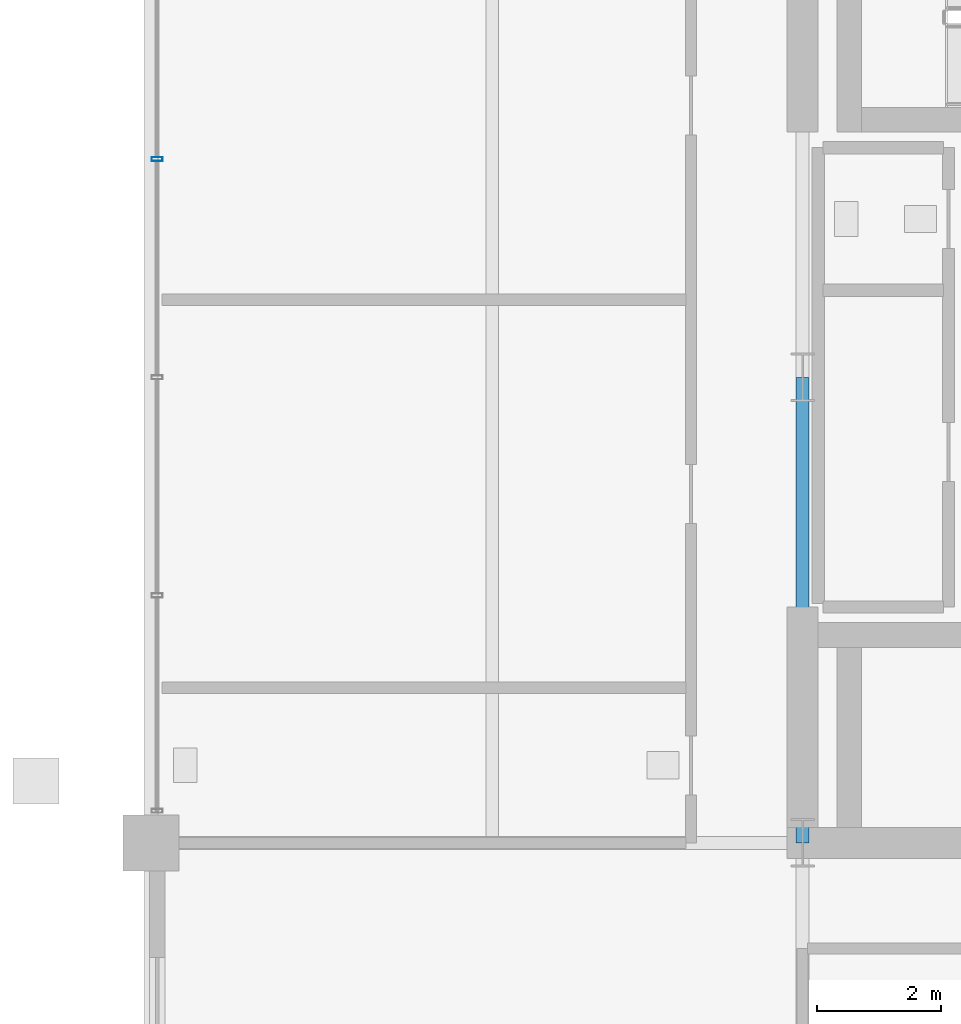
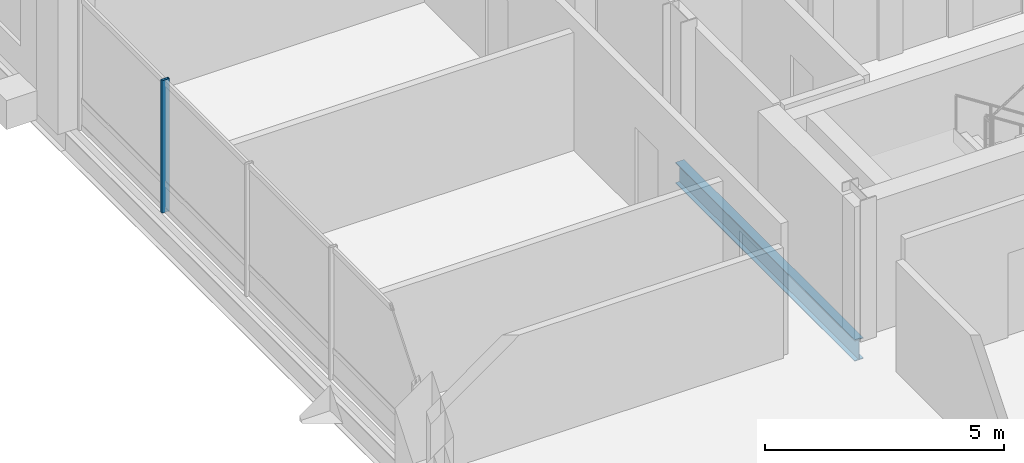
# One storey, part 7 of 21: 1 beam, 1 member, 1 element without a shape of its own.
"""IFC4 building model written with IfcOpenShell, lengths in metres."""

from ifc_helpers import new_model, si_unit, direction, frame, origin, origin_2d, place, context, subcontext, project, spatial, hollow_rectangle, i_section, extrude, material, layer, layer_set, material_profile, profile_set, type_object, element, aggregate, save


model = new_model("IFC4")

# Units and contexts
model_context = context("Model", 3, precision=1e-05, world=origin(), true_north=direction((0.0, 1.0)))
body_context = subcontext(model_context, "Body", "Model", "MODEL_VIEW")
ifc_project = project(units=[si_unit("LENGTHUNIT", "METRE"), si_unit("AREAUNIT", "SQUARE_METRE"), si_unit("VOLUMEUNIT", "CUBIC_METRE"), si_unit("PLANEANGLEUNIT", "RADIAN"), si_unit("MASSUNIT", "GRAM", prefix="KILO")], contexts=[model_context])

# Site, building, storey
site_placement = place(None, origin())
site = spatial("IfcSite", under=ifc_project, at=site_placement, CompositionType="ELEMENT")
building_placement = place(site_placement, origin())
building = spatial("IfcBuilding", under=site, at=building_placement, Name="Barlavira Tower and Art Museum", CompositionType="ELEMENT")
storey_placement = place(building_placement, frame((0.0, 0.0, 276.300048828125)))
storey = spatial("IfcBuildingStorey", under=building, at=storey_placement, Name="L72", CompositionType="ELEMENT", Elevation=276.300048828125)

# Curtain wall, member
ifc_material_1 = material(Name="Low-iron coastal laminated glass", Category="glass")
ifc_layer = layer(ifc_material_1, 0.2099609375, Name="Low-iron coastal laminated glass")
ifc_layer_set = layer_set([ifc_layer], Name="Low-iron coastal laminated glass")
curtain_wall_type = type_object("IfcCurtainWallType", Name="Pale-Metal Unitised Curtain Wall Zone 4", PredefinedType="NOTDEFINED", material=ifc_layer_set)
curtain_wall_placement = place(storey_placement, origin())
curtain_wall = element("IfcCurtainWall", 1, at=curtain_wall_placement, inside=storey, type_object=curtain_wall_type, Name="L72 Curtain Wall CW4-L72-W-B3", PredefinedType="NOTDEFINED")
ifc_material_2 = material(Name="Pale anodised aluminium", Category="aluminium")
ifc_material_profile_1 = material_profile(ifc_material_2, hollow_rectangle(XDim=0.06494140625, YDim=0.179931640625, WallThickness=0.00390625, at=origin_2d()), Name="ALU-MULL 65x180x4")
ifc_profile_set_1 = profile_set([ifc_material_profile_1], Name="Pale anodised aluminium")
member_type = type_object("IfcMemberType", Name="Curtain Wall Pale-Metal Mullion 65x180", PredefinedType="MULLION", material=ifc_profile_set_1)
member_placement = place(storey_placement, frame((-16.89990234375, 3.514892578125, 0.0), z_axis=(0.0, 0.0, 1.0), x_axis=(0.0, -1.0, 0.0)))
member = element("IfcMember", 2, at=member_placement, type_object=member_type, Name="CW4-L72-W-B3 Mullion 1", PredefinedType="MULLION", context=body_context, shape_type="SweptSolid", body=[
    extrude(hollow_rectangle(XDim=0.06494140625, YDim=0.179931640625, WallThickness=0.00390625, at=origin_2d()), origin(), (0.0, 0.0, 1.0), 3.3798828125),
])
aggregate(curtain_wall, [member])

# Beam
ifc_material_3 = material(Name="Steel S355", Category="steel")
ifc_material_profile_2 = material_profile(ifc_material_3, i_section(OverallWidth=0.2109375, OverallDepth=0.5390625, WebThickness=0.01171875, FlangeThickness=0.018798828125, at=origin_2d()), Name="W530x109.0")
ifc_profile_set_2 = profile_set([ifc_material_profile_2], Name="Steel S355")
beam_type = type_object("IfcBeamType", Name="Zone 3-4 Primary Floor Girder W530x109 Steel S355", PredefinedType="BEAM", material=ifc_profile_set_2)
beam_placement = place(storey_placement, frame((-6.5, -7.5, -0.489501953125), z_axis=(0.0, 1.0, 0.0), x_axis=(-1.0, 0.0, 0.0)))
element("IfcBeam", 3, at=beam_placement, inside=storey, type_object=beam_type, Name="L72 Girder C-W1", PredefinedType="BEAM", context=body_context, shape_type="SweptSolid", body=[
    extrude(i_section(OverallWidth=0.2109375, OverallDepth=0.5390625, WebThickness=0.01171875, FlangeThickness=0.018798828125, at=origin_2d()), origin(), (0.0, 0.0, 1.0), 7.5),
])

save(model, "model.ifc")
